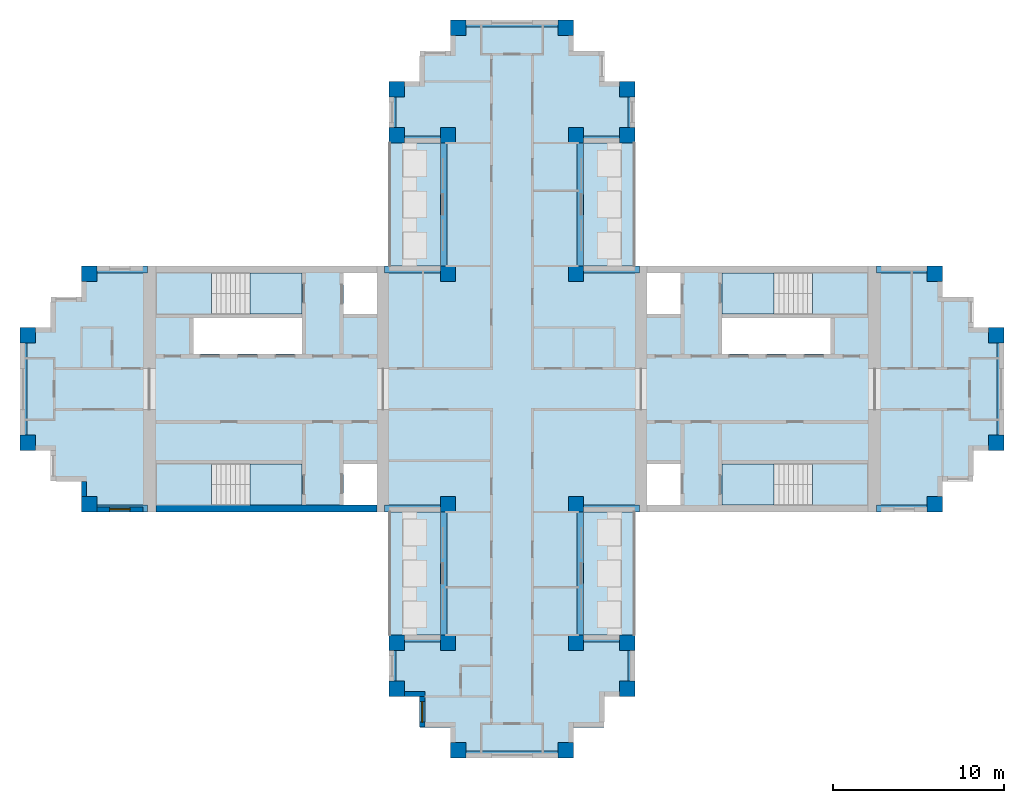
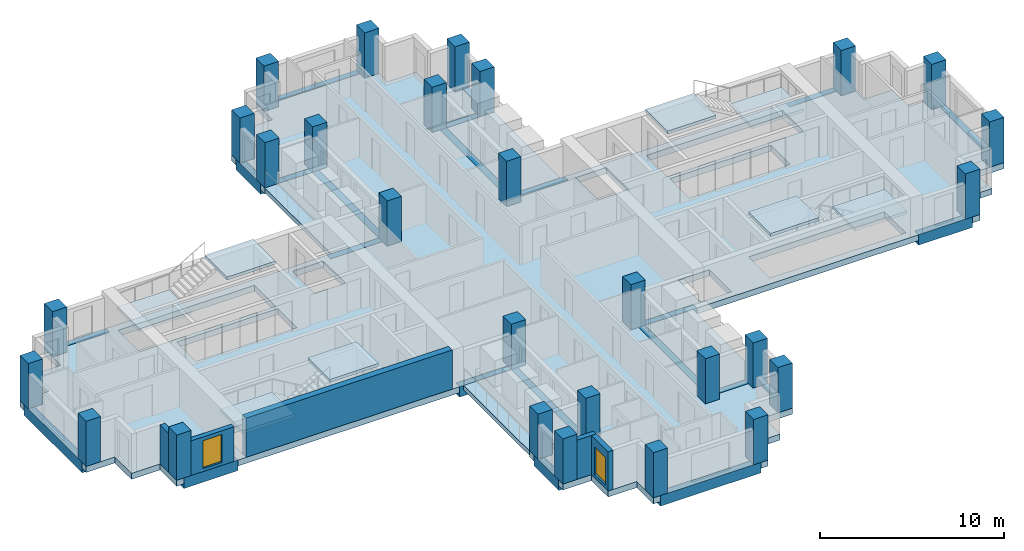
# One storey, part 1 of 9: 28 columns, 24 beams, 13 slabs, 5 walls, 2 windows, 2 openings, 4 elements without a shape of their own.
"""IFC4 building model written with IfcOpenShell, lengths in metres."""

from ifc_helpers import new_model, si_unit, direction, frame, frame_2d, origin, origin_2d, place, context, subcontext, project, spatial, polyline, rectangle, outline, extrude, material, layer, layer_set, material_profile, profile_set, type_object, element, fill, aggregate, save


model = new_model("IFC4")

# Units and contexts
model_context = context("Model", 3, precision=1e-05, world=origin(), true_north=direction((0.0, 1.0)))
body_context = subcontext(model_context, "Body", "Model", "MODEL_VIEW")
ifc_project = project(units=[si_unit("LENGTHUNIT", "METRE"), si_unit("AREAUNIT", "SQUARE_METRE"), si_unit("VOLUMEUNIT", "CUBIC_METRE"), si_unit("PLANEANGLEUNIT", "RADIAN"), si_unit("MASSUNIT", "GRAM", prefix="KILO")], contexts=[model_context])

# Site, building, storey
site_placement = place(None, origin())
site = spatial("IfcSite", under=ifc_project, at=site_placement, CompositionType="ELEMENT")
building_placement = place(site_placement, origin())
building = spatial("IfcBuilding", under=site, at=building_placement, Name="Fustian Cross Tower", CompositionType="ELEMENT")
storey_placement = place(building_placement, frame((0.0, 0.0, 216.89990234375)))
storey = spatial("IfcBuildingStorey", under=building, at=storey_placement, Name="L68", CompositionType="ELEMENT", Elevation=216.89990234375)

# Columns
ifc_material_1 = material(Name="Concrete C40/50", Category="concrete")
ifc_material_profile_1 = material_profile(ifc_material_1, rectangle(XDim=0.89990234375, YDim=0.89990234375, at=origin_2d()), Name="RC 900x900")
ifc_profile_set_1 = profile_set([ifc_material_profile_1], Name="Concrete C40/50")
column_type = type_object("IfcColumnType", Name="COLUMN RC 900x900 C40/50", PredefinedType="COLUMN", material=ifc_profile_set_1)
for number, where, z_axis, x_axis, name in (
    (1, (-28.35009765625, -3.14990234375, 0.0), (0.0, 0.0, 1.0), (1.0, 0.0, 0.0), "COLUMN 008"),
    (2, (-28.35009765625, 3.14990234375, 0.0), (0.0, 0.0, 1.0), (1.0, 0.0, 0.0), "COLUMN 009"),
    (3, (-24.75, -6.75, 0.0), (0.0, 0.0, 1.0), (1.0, 0.0, 0.0), "COLUMN 011"),
    (4, (-24.75, 6.75, 0.0), (0.0, 0.0, 1.0), (1.0, 0.0, 0.0), "COLUMN 012"),
    (5, (-6.75, -17.550048828125, 0.0), (0.0, 0.0, 1.0), (1.0, 0.0, 0.0), "COLUMN 017"),
    (6, (-6.75, -14.85009765625, 0.0), (0.0, 0.0, 1.0), (1.0, 0.0, 0.0), "COLUMN 018"),
    (7, (-6.75, 14.85009765625, 0.0), (0.0, 0.0, 1.0), (1.0, 0.0, 0.0), "COLUMN 019"),
    (8, (-6.75, 17.550048828125, 0.0), (0.0, 0.0, 1.0), (1.0, 0.0, 0.0), "COLUMN 020"),
    (9, (-3.75, -14.85009765625, 0.0), (0.0, 0.0, 1.0), (1.0, 0.0, 0.0), "COLUMN 025"),
    (10, (-3.75, -6.75, 0.0), (0.0, 0.0, 1.0), (1.0, 0.0, 0.0), "COLUMN 026"),
    (11, (-3.75, 6.75, 0.0), (0.0, 0.0, 1.0), (1.0, 0.0, 0.0), "COLUMN 027"),
    (12, (-3.75, 14.85009765625, 0.0), (0.0, 0.0, 1.0), (1.0, 0.0, 0.0), "COLUMN 028"),
    (13, (-3.14990234375, -21.14990234375, 0.0), (0.0, 0.0, 1.0), (1.0, 0.0, 0.0), "COLUMN 030"),
    (14, (-3.14990234375, 21.14990234375, 0.0), (0.0, 0.0, 1.0), (1.0, 0.0, 0.0), "COLUMN 031"),
    (15, (3.14990234375, -21.14990234375, 0.0), (0.0, 0.0, 1.0), (1.0, 0.0, 0.0), "COLUMN 034"),
    (16, (3.14990234375, 21.14990234375, 0.0), (0.0, 0.0, 1.0), (1.0, 0.0, 0.0), "COLUMN 035"),
    (17, (3.75, -14.85009765625, 0.0), (0.0, 0.0, 1.0), (1.0, 0.0, 0.0), "COLUMN 037"),
    (18, (3.75, -6.75, 0.0), (0.0, 0.0, 1.0), (1.0, 0.0, 0.0), "COLUMN 038"),
    (19, (3.75, 6.75, 0.0), (0.0, 0.0, 1.0), (1.0, 0.0, 0.0), "COLUMN 039"),
    (20, (3.75, 14.85009765625, 0.0), (0.0, 0.0, 1.0), (1.0, 0.0, 0.0), "COLUMN 040"),
    (21, (6.75, -17.550048828125, 0.0), (0.0, 0.0, 1.0), (1.0, 0.0, 0.0), "COLUMN 045"),
    (22, (6.75, -14.85009765625, 0.0), (0.0, 0.0, 1.0), (1.0, 0.0, 0.0), "COLUMN 046"),
    (23, (6.75, 14.85009765625, 0.0), (0.0, 0.0, 1.0), (1.0, 0.0, 0.0), "COLUMN 047"),
    (24, (6.75, 17.550048828125, 0.0), (0.0, 0.0, 1.0), (1.0, 0.0, 0.0), "COLUMN 048"),
    (25, (24.75, -6.75, 0.0), (0.0, 0.0, 1.0), (1.0, 0.0, 0.0), "COLUMN 053"),
    (26, (24.75, 6.75, 0.0), (0.0, 0.0, 1.0), (1.0, 0.0, 0.0), "COLUMN 054"),
    (27, (28.35009765625, -3.14990234375, 0.0), (0.0, 0.0, 1.0), (1.0, 0.0, 0.0), "COLUMN 056"),
    (28, (28.35009765625, 3.14990234375, 0.0), (0.0, 0.0, 1.0), (1.0, 0.0, 0.0), "COLUMN 057"),
):
    element("IfcColumn", number, at=place(storey_placement, frame(where, z_axis=z_axis, x_axis=x_axis)), inside=storey, type_object=column_type, Name=name, PredefinedType="COLUMN", context=body_context, shape_type="SweptSolid", body=[
        extrude(rectangle(XDim=0.89990234375, YDim=0.89990234375, at=origin_2d()), origin(), (0.0, 0.0, 1.0), 3.0),
    ])

# Beams
ifc_material_2 = material(Name="Concrete C50/60", Category="concrete")
ifc_material_profile_2 = material_profile(ifc_material_2, rectangle(XDim=0.39990234375, YDim=0.699951171875, at=origin_2d()), Name="RC 400x700")
ifc_profile_set_2 = profile_set([ifc_material_profile_2], Name="Concrete C50/60")
beam_type = type_object("IfcBeamType", Name="EDGE BEAM RC 400x700 C50/60", PredefinedType="SPANDREL", material=ifc_profile_set_2)
beam_1_placement = place(storey_placement, frame((21.35009765625, -7.0, -0.349853515625), z_axis=(1.0, 0.0, 0.0), x_axis=(0.0, 1.0, 0.0)))
element("IfcBeam", 29, at=beam_1_placement, inside=storey, type_object=beam_type, Name="EDGE BEAM L68-01", PredefinedType="SPANDREL", context=body_context, shape_type="SweptSolid", body=[
    extrude(rectangle(XDim=0.39990234375, YDim=0.699951171875, at=origin_2d()), origin(), (0.0, 0.0, 1.0), 3.39990234375),
])
beam_2_placement = place(storey_placement, frame((28.60009765625, -3.14990234375, -0.349853515625), z_axis=(0.0, 1.0, 0.0), x_axis=(-1.0, 0.0, 0.0)))
element("IfcBeam", 30, at=beam_2_placement, inside=storey, type_object=beam_type, Name="EDGE BEAM L68-02", PredefinedType="SPANDREL", context=body_context, shape_type="SweptSolid", body=[
    extrude(rectangle(XDim=0.39990234375, YDim=0.699951171875, at=origin_2d()), origin(), (0.0, 0.0, 1.0), 6.2998046875),
])
beam_3_placement = place(storey_placement, frame((24.75, 7.0, -0.349853515625), z_axis=(-1.0, 0.0, 0.0), x_axis=(0.0, -1.0, 0.0)))
element("IfcBeam", 31, at=beam_3_placement, inside=storey, type_object=beam_type, Name="EDGE BEAM L68-03", PredefinedType="SPANDREL", context=body_context, shape_type="SweptSolid", body=[
    extrude(rectangle(XDim=0.39990234375, YDim=0.699951171875, at=origin_2d()), origin(), (0.0, 0.0, 1.0), 3.39990234375),
])
beam_4_placement = place(storey_placement, frame((7.449951171875, 7.0, -0.349853515625), z_axis=(-1.0, 0.0, 0.0), x_axis=(0.0, -1.0, 0.0)))
element("IfcBeam", 32, at=beam_4_placement, inside=storey, type_object=beam_type, Name="EDGE BEAM L68-04", PredefinedType="SPANDREL", context=body_context, shape_type="SweptSolid", body=[
    extrude(rectangle(XDim=0.39990234375, YDim=0.699951171875, at=origin_2d()), origin(), (0.0, 0.0, 1.0), 3.699951171875),
])
beam_5_placement = place(storey_placement, frame((4.0, 6.75, -0.349853515625), z_axis=(0.0, 1.0, 0.0), x_axis=(-1.0, 0.0, 0.0)))
element("IfcBeam", 33, at=beam_5_placement, inside=storey, type_object=beam_type, Name="EDGE BEAM L68-05", PredefinedType="SPANDREL", context=body_context, shape_type="SweptSolid", body=[
    extrude(rectangle(XDim=0.39990234375, YDim=0.699951171875, at=origin_2d()), origin(), (0.0, 0.0, 1.0), 8.10009765625),
])
beam_6_placement = place(storey_placement, frame((3.75, 14.60009765625, -0.349853515625), z_axis=(1.0, 0.0, 0.0), x_axis=(0.0, 1.0, 0.0)))
element("IfcBeam", 34, at=beam_6_placement, inside=storey, type_object=beam_type, Name="EDGE BEAM L68-06", PredefinedType="SPANDREL", context=body_context, shape_type="SweptSolid", body=[
    extrude(rectangle(XDim=0.39990234375, YDim=0.699951171875, at=origin_2d()), origin(), (0.0, 0.0, 1.0), 3.0),
])
beam_7_placement = place(storey_placement, frame((7.0, 14.85009765625, -0.349853515625), z_axis=(0.0, 1.0, 0.0), x_axis=(-1.0, 0.0, 0.0)))
element("IfcBeam", 35, at=beam_7_placement, inside=storey, type_object=beam_type, Name="EDGE BEAM L68-07", PredefinedType="SPANDREL", context=body_context, shape_type="SweptSolid", body=[
    extrude(rectangle(XDim=0.39990234375, YDim=0.699951171875, at=origin_2d()), origin(), (0.0, 0.0, 1.0), 2.699951171875),
])
beam_8_placement = place(storey_placement, frame((3.14990234375, 21.39990234375, -0.349853515625), z_axis=(-1.0, 0.0, 0.0), x_axis=(0.0, -1.0, 0.0)))
element("IfcBeam", 36, at=beam_8_placement, inside=storey, type_object=beam_type, Name="EDGE BEAM L68-08", PredefinedType="SPANDREL", context=body_context, shape_type="SweptSolid", body=[
    extrude(rectangle(XDim=0.39990234375, YDim=0.699951171875, at=origin_2d()), origin(), (0.0, 0.0, 1.0), 6.2998046875),
])
beam_9_placement = place(storey_placement, frame((-7.0, 17.550048828125, -0.349853515625), z_axis=(0.0, -1.0, 0.0), x_axis=(1.0, 0.0, 0.0)))
element("IfcBeam", 37, at=beam_9_placement, inside=storey, type_object=beam_type, Name="EDGE BEAM L68-09", PredefinedType="SPANDREL", context=body_context, shape_type="SweptSolid", body=[
    extrude(rectangle(XDim=0.39990234375, YDim=0.699951171875, at=origin_2d()), origin(), (0.0, 0.0, 1.0), 2.699951171875),
])
beam_10_placement = place(storey_placement, frame((-6.75, 14.60009765625, -0.349853515625), z_axis=(1.0, 0.0, 0.0), x_axis=(0.0, 1.0, 0.0)))
element("IfcBeam", 38, at=beam_10_placement, inside=storey, type_object=beam_type, Name="EDGE BEAM L68-10", PredefinedType="SPANDREL", context=body_context, shape_type="SweptSolid", body=[
    extrude(rectangle(XDim=0.39990234375, YDim=0.699951171875, at=origin_2d()), origin(), (0.0, 0.0, 1.0), 3.0),
])
beam_11_placement = place(storey_placement, frame((-4.0, 14.85009765625, -0.349853515625), z_axis=(0.0, -1.0, 0.0), x_axis=(1.0, 0.0, 0.0)))
element("IfcBeam", 39, at=beam_11_placement, inside=storey, type_object=beam_type, Name="EDGE BEAM L68-11", PredefinedType="SPANDREL", context=body_context, shape_type="SweptSolid", body=[
    extrude(rectangle(XDim=0.39990234375, YDim=0.699951171875, at=origin_2d()), origin(), (0.0, 0.0, 1.0), 8.10009765625),
])
beam_12_placement = place(storey_placement, frame((-3.75, 7.0, -0.349853515625), z_axis=(-1.0, 0.0, 0.0), x_axis=(0.0, -1.0, 0.0)))
element("IfcBeam", 40, at=beam_12_placement, inside=storey, type_object=beam_type, Name="EDGE BEAM L68-12", PredefinedType="SPANDREL", context=body_context, shape_type="SweptSolid", body=[
    extrude(rectangle(XDim=0.39990234375, YDim=0.699951171875, at=origin_2d()), origin(), (0.0, 0.0, 1.0), 3.699951171875),
])
beam_13_placement = place(storey_placement, frame((-21.35009765625, 7.0, -0.349853515625), z_axis=(-1.0, 0.0, 0.0), x_axis=(0.0, -1.0, 0.0)))
element("IfcBeam", 41, at=beam_13_placement, inside=storey, type_object=beam_type, Name="EDGE BEAM L68-13", PredefinedType="SPANDREL", context=body_context, shape_type="SweptSolid", body=[
    extrude(rectangle(XDim=0.39990234375, YDim=0.699951171875, at=origin_2d()), origin(), (0.0, 0.0, 1.0), 3.39990234375),
])
beam_14_placement = place(storey_placement, frame((-28.60009765625, 3.14990234375, -0.349853515625), z_axis=(0.0, -1.0, 0.0), x_axis=(1.0, 0.0, 0.0)))
element("IfcBeam", 42, at=beam_14_placement, inside=storey, type_object=beam_type, Name="EDGE BEAM L68-14", PredefinedType="SPANDREL", context=body_context, shape_type="SweptSolid", body=[
    extrude(rectangle(XDim=0.39990234375, YDim=0.699951171875, at=origin_2d()), origin(), (0.0, 0.0, 1.0), 6.2998046875),
])
beam_15_placement = place(storey_placement, frame((-24.75, -7.0, -0.349853515625), z_axis=(1.0, 0.0, 0.0), x_axis=(0.0, 1.0, 0.0)))
element("IfcBeam", 43, at=beam_15_placement, inside=storey, type_object=beam_type, Name="EDGE BEAM L68-15", PredefinedType="SPANDREL", context=body_context, shape_type="SweptSolid", body=[
    extrude(rectangle(XDim=0.39990234375, YDim=0.699951171875, at=origin_2d()), origin(), (0.0, 0.0, 1.0), 3.39990234375),
])
beam_16_placement = place(storey_placement, frame((-7.449951171875, -7.0, -0.349853515625), z_axis=(1.0, 0.0, 0.0), x_axis=(0.0, 1.0, 0.0)))
element("IfcBeam", 44, at=beam_16_placement, inside=storey, type_object=beam_type, Name="EDGE BEAM L68-16", PredefinedType="SPANDREL", context=body_context, shape_type="SweptSolid", body=[
    extrude(rectangle(XDim=0.39990234375, YDim=0.699951171875, at=origin_2d()), origin(), (0.0, 0.0, 1.0), 3.699951171875),
])
beam_17_placement = place(storey_placement, frame((-4.0, -6.75, -0.349853515625), z_axis=(0.0, -1.0, 0.0), x_axis=(1.0, 0.0, 0.0)))
element("IfcBeam", 45, at=beam_17_placement, inside=storey, type_object=beam_type, Name="EDGE BEAM L68-17", PredefinedType="SPANDREL", context=body_context, shape_type="SweptSolid", body=[
    extrude(rectangle(XDim=0.39990234375, YDim=0.699951171875, at=origin_2d()), origin(), (0.0, 0.0, 1.0), 8.10009765625),
])
beam_18_placement = place(storey_placement, frame((-3.75, -14.60009765625, -0.349853515625), z_axis=(-1.0, 0.0, 0.0), x_axis=(0.0, -1.0, 0.0)))
element("IfcBeam", 46, at=beam_18_placement, inside=storey, type_object=beam_type, Name="EDGE BEAM L68-18", PredefinedType="SPANDREL", context=body_context, shape_type="SweptSolid", body=[
    extrude(rectangle(XDim=0.39990234375, YDim=0.699951171875, at=origin_2d()), origin(), (0.0, 0.0, 1.0), 3.0),
])
beam_19_placement = place(storey_placement, frame((-7.0, -14.85009765625, -0.349853515625), z_axis=(0.0, -1.0, 0.0), x_axis=(1.0, 0.0, 0.0)))
element("IfcBeam", 47, at=beam_19_placement, inside=storey, type_object=beam_type, Name="EDGE BEAM L68-19", PredefinedType="SPANDREL", context=body_context, shape_type="SweptSolid", body=[
    extrude(rectangle(XDim=0.39990234375, YDim=0.699951171875, at=origin_2d()), origin(), (0.0, 0.0, 1.0), 2.699951171875),
])
beam_20_placement = place(storey_placement, frame((-3.14990234375, -21.39990234375, -0.349853515625), z_axis=(1.0, 0.0, 0.0), x_axis=(0.0, 1.0, 0.0)))
element("IfcBeam", 48, at=beam_20_placement, inside=storey, type_object=beam_type, Name="EDGE BEAM L68-20", PredefinedType="SPANDREL", context=body_context, shape_type="SweptSolid", body=[
    extrude(rectangle(XDim=0.39990234375, YDim=0.699951171875, at=origin_2d()), origin(), (0.0, 0.0, 1.0), 6.2998046875),
])
beam_21_placement = place(storey_placement, frame((7.0, -17.550048828125, -0.349853515625), z_axis=(0.0, 1.0, 0.0), x_axis=(-1.0, 0.0, 0.0)))
element("IfcBeam", 49, at=beam_21_placement, inside=storey, type_object=beam_type, Name="EDGE BEAM L68-21", PredefinedType="SPANDREL", context=body_context, shape_type="SweptSolid", body=[
    extrude(rectangle(XDim=0.39990234375, YDim=0.699951171875, at=origin_2d()), origin(), (0.0, 0.0, 1.0), 2.699951171875),
])
beam_22_placement = place(storey_placement, frame((6.75, -14.60009765625, -0.349853515625), z_axis=(-1.0, 0.0, 0.0), x_axis=(0.0, -1.0, 0.0)))
element("IfcBeam", 50, at=beam_22_placement, inside=storey, type_object=beam_type, Name="EDGE BEAM L68-22", PredefinedType="SPANDREL", context=body_context, shape_type="SweptSolid", body=[
    extrude(rectangle(XDim=0.39990234375, YDim=0.699951171875, at=origin_2d()), origin(), (0.0, 0.0, 1.0), 3.0),
])
beam_23_placement = place(storey_placement, frame((4.0, -14.85009765625, -0.349853515625), z_axis=(0.0, 1.0, 0.0), x_axis=(-1.0, 0.0, 0.0)))
element("IfcBeam", 51, at=beam_23_placement, inside=storey, type_object=beam_type, Name="EDGE BEAM L68-23", PredefinedType="SPANDREL", context=body_context, shape_type="SweptSolid", body=[
    extrude(rectangle(XDim=0.39990234375, YDim=0.699951171875, at=origin_2d()), origin(), (0.0, 0.0, 1.0), 8.10009765625),
])
beam_24_placement = place(storey_placement, frame((3.75, -7.0, -0.349853515625), z_axis=(1.0, 0.0, 0.0), x_axis=(0.0, 1.0, 0.0)))
element("IfcBeam", 52, at=beam_24_placement, inside=storey, type_object=beam_type, Name="EDGE BEAM L68-24", PredefinedType="SPANDREL", context=body_context, shape_type="SweptSolid", body=[
    extrude(rectangle(XDim=0.39990234375, YDim=0.699951171875, at=origin_2d()), origin(), (0.0, 0.0, 1.0), 3.699951171875),
])

# Slabs
ifc_material_3 = material(Name="Concrete C40/50", Category="concrete")
ifc_layer_1 = layer(ifc_material_3, 0.300048828125)
ifc_layer_set_1 = layer_set([ifc_layer_1], Name="Concrete C40/50")
slab_type_1 = type_object("IfcSlabType", Name="BS1 BALCONY SLAB 300", PredefinedType="FLOOR", material=ifc_layer_set_1)
slab_1_placement = place(storey_placement, frame((0.0, 0.0, -0.2998046875)))
element("IfcSlab", 53, at=slab_1_placement, inside=storey, type_object=slab_type_1, Name="Balcony slab", PredefinedType="FLOOR", context=body_context, shape_type="SweptSolid", body=[
    extrude(outline(polyline([(4.199951171875, 7.199951171875), (7.199951171875, 7.199951171875), (7.199951171875, 14.39990234375), (4.199951171875, 14.39990234375), (4.199951171875, 7.199951171875)])), origin(), (0.0, 0.0, 1.0), 0.2998046875),
])
slab_2_placement = place(storey_placement, frame((0.0, 0.0, -0.2998046875)))
element("IfcSlab", 54, at=slab_2_placement, inside=storey, type_object=slab_type_1, Name="Balcony slab", PredefinedType="FLOOR", context=body_context, shape_type="SweptSolid", body=[
    extrude(outline(polyline([(-7.199951171875, 7.199951171875), (-4.199951171875, 7.199951171875), (-4.199951171875, 14.39990234375), (-7.199951171875, 14.39990234375), (-7.199951171875, 7.199951171875)])), origin(), (0.0, 0.0, 1.0), 0.2998046875),
])
slab_3_placement = place(storey_placement, frame((0.0, 0.0, -0.2998046875)))
element("IfcSlab", 55, at=slab_3_placement, inside=storey, type_object=slab_type_1, Name="Balcony slab", PredefinedType="FLOOR", context=body_context, shape_type="SweptSolid", body=[
    extrude(outline(polyline([(4.199951171875, -14.39990234375), (7.199951171875, -14.39990234375), (7.199951171875, -7.199951171875), (4.199951171875, -7.199951171875), (4.199951171875, -14.39990234375)])), origin(), (0.0, 0.0, 1.0), 0.2998046875),
])
slab_4_placement = place(storey_placement, frame((0.0, 0.0, -0.2998046875)))
element("IfcSlab", 56, at=slab_4_placement, inside=storey, type_object=slab_type_1, Name="Balcony slab", PredefinedType="FLOOR", context=body_context, shape_type="SweptSolid", body=[
    extrude(outline(polyline([(-7.199951171875, -14.39990234375), (-4.199951171875, -14.39990234375), (-4.199951171875, -7.199951171875), (-7.199951171875, -7.199951171875), (-7.199951171875, -14.39990234375)])), origin(), (0.0, 0.0, 1.0), 0.2998046875),
])
ifc_material_4 = material(Name="Concrete C40/50", Category="concrete")
ifc_layer_2 = layer(ifc_material_4, 0.39990234375)
ifc_layer_set_2 = layer_set([ifc_layer_2], Name="Concrete C40/50")
slab_type_2 = type_object("IfcSlabType", Name="FLAT SLAB 400", PredefinedType="FLOOR", material=ifc_layer_set_2)
slab_5_placement = place(storey_placement, frame((0.0, 0.0, -0.39990234375)))
element("IfcSlab", 57, at=slab_5_placement, inside=storey, type_object=slab_type_2, Name="FLOOR SLAB L68-1", PredefinedType="FLOOR", context=body_context, shape_type="SweptSolid", body=[
    extrude(outline(polyline([(-3.60009765625, -19.800048828125), (-5.39990234375, -19.800048828125), (-5.39990234375, -18.0), (-7.199951171875, -18.0), (-7.199951171875, -14.39990234375), (-4.199951171875, -14.39990234375), (-4.199951171875, -7.199951171875), (-25.199951171875, -7.199951171875), (-25.199951171875, -5.39990234375), (-27.0, -5.39990234375), (-27.0, -3.60009765625), (-28.800048828125, -3.60009765625), (-28.800048828125, 3.60009765625), (-27.0, 3.60009765625), (-27.0, 5.39990234375), (-25.199951171875, 5.39990234375), (-25.199951171875, 7.199951171875), (-4.199951171875, 7.199951171875), (-4.199951171875, 14.39990234375), (-7.199951171875, 14.39990234375), (-7.199951171875, 18.0), (-5.39990234375, 18.0), (-5.39990234375, 19.800048828125), (-3.60009765625, 19.800048828125), (-3.60009765625, 21.60009765625), (3.60009765625, 21.60009765625), (3.60009765625, 19.800048828125), (5.39990234375, 19.800048828125), (5.39990234375, 18.0), (7.199951171875, 18.0), (7.199951171875, 14.39990234375), (4.199951171875, 14.39990234375), (4.199951171875, 7.199951171875), (25.199951171875, 7.199951171875), (25.199951171875, 5.39990234375), (27.0, 5.39990234375), (27.0, 3.60009765625), (28.800048828125, 3.60009765625), (28.800048828125, -3.60009765625), (27.0, -3.60009765625), (27.0, -5.39990234375), (25.199951171875, -5.39990234375), (25.199951171875, -7.199951171875), (4.199951171875, -7.199951171875), (4.199951171875, -14.39990234375), (7.199951171875, -14.39990234375), (7.199951171875, -18.0), (5.39990234375, -18.0), (5.39990234375, -19.800048828125), (3.60009765625, -19.800048828125), (3.60009765625, -21.60009765625), (-3.60009765625, -21.60009765625), (-3.60009765625, -19.800048828125)]), holes=[polyline([(7.89990234375, 6.800048828125), (7.89990234375, 4.39990234375), (9.85009765625, 4.39990234375), (9.85009765625, 6.800048828125), (7.89990234375, 6.800048828125)]), polyline([(9.85009765625, -4.39990234375), (7.89990234375, -4.39990234375), (7.89990234375, -6.800048828125), (9.85009765625, -6.800048828125), (9.85009765625, -4.39990234375)]), polyline([(-7.89990234375, 4.39990234375), (-7.89990234375, 6.800048828125), (-9.85009765625, 6.800048828125), (-9.85009765625, 4.39990234375), (-7.89990234375, 4.39990234375)]), polyline([(-9.85009765625, -6.800048828125), (-7.89990234375, -6.800048828125), (-7.89990234375, -4.39990234375), (-9.85009765625, -4.39990234375), (-9.85009765625, -6.800048828125)]), polyline([(12.300048828125, 4.14990234375), (12.300048828125, 2.050048828125), (18.64990234375, 2.050048828125), (18.64990234375, 4.14990234375), (12.300048828125, 4.14990234375)]), polyline([(-12.300048828125, 4.14990234375), (-18.64990234375, 4.14990234375), (-18.64990234375, 2.050048828125), (-12.300048828125, 2.050048828125), (-12.300048828125, 4.14990234375)]), polyline([(20.85009765625, 4.39990234375), (20.85009765625, 6.699951171875), (12.300048828125, 6.699951171875), (12.300048828125, 4.39990234375), (20.85009765625, 4.39990234375)]), polyline([(12.300048828125, -6.699951171875), (20.85009765625, -6.699951171875), (20.85009765625, -4.39990234375), (12.300048828125, -4.39990234375), (12.300048828125, -6.699951171875)]), polyline([(-20.85009765625, 6.699951171875), (-20.85009765625, 4.39990234375), (-12.300048828125, 4.39990234375), (-12.300048828125, 6.699951171875), (-20.85009765625, 6.699951171875)]), polyline([(-12.300048828125, -4.39990234375), (-20.85009765625, -4.39990234375), (-20.85009765625, -6.699951171875), (-12.300048828125, -6.699951171875), (-12.300048828125, -4.39990234375)])]), origin(), (0.0, 0.0, 1.0), 0.39990234375),
])

# Stair, slabs
ifc_material_5 = material(Name="Concrete C50/60", Category="concrete")
stair_type = type_object("IfcStairType", Name="STAIR 1200 HALF TURN", PredefinedType="HALF_TURN_STAIR", material=ifc_material_5)
stair_1_placement = place(storey_placement, origin())
stair_1 = element("IfcStair", 58, at=stair_1_placement, inside=storey, type_object=stair_type, Name="Stair ST1", PredefinedType="HALF_TURN_STAIR")
ifc_material_6 = material(Name="Concrete C50/60", Category="concrete")
ifc_layer_3 = layer(ifc_material_6, 0.199951171875)
ifc_layer_set_3 = layer_set([ifc_layer_3], Name="Concrete C50/60")
slab_type_3 = type_object("IfcSlabType", Name="STAIR LANDING", PredefinedType="LANDING", material=ifc_layer_set_3)
slab_6_placement = place(storey_placement, frame((0.0, 0.0, 1.300048828125)))
slab_6 = element("IfcSlab", 59, at=slab_6_placement, type_object=slab_type_3, Name="ST1 landing 1", PredefinedType="LANDING", context=body_context, shape_type="SweptSolid", body=[
    extrude(outline(polyline([(17.590087890625, 4.39990234375), (20.85009765625, 4.39990234375), (20.85009765625, 6.800048828125), (17.590087890625, 6.800048828125), (17.590087890625, 4.39990234375)])), origin(), (0.0, 0.0, 1.0), 0.199951171875),
])
slab_7_placement = place(storey_placement, frame((0.0, 0.0, 2.800048828125)))
slab_7 = element("IfcSlab", 60, at=slab_7_placement, type_object=slab_type_3, Name="ST1 landing 2", PredefinedType="LANDING", context=body_context, shape_type="SweptSolid", body=[
    extrude(outline(polyline([(12.300048828125, 4.39990234375), (15.35009765625, 4.39990234375), (15.35009765625, 6.800048828125), (12.300048828125, 6.800048828125), (12.300048828125, 4.39990234375)])), origin(), (0.0, 0.0, 1.0), 0.199951171875),
])
aggregate(stair_1, [slab_6, slab_7])

stair_2_placement = place(storey_placement, origin())
stair_2 = element("IfcStair", 61, at=stair_2_placement, inside=storey, type_object=stair_type, Name="Stair ST2", PredefinedType="HALF_TURN_STAIR")
slab_8_placement = place(storey_placement, frame((0.0, 0.0, 1.300048828125)))
slab_8 = element("IfcSlab", 62, at=slab_8_placement, type_object=slab_type_3, Name="ST2 landing 1", PredefinedType="LANDING", context=body_context, shape_type="SweptSolid", body=[
    extrude(outline(polyline([(17.590087890625, -4.39990234375), (20.85009765625, -4.39990234375), (20.85009765625, -6.800048828125), (17.590087890625, -6.800048828125), (17.590087890625, -4.39990234375)])), origin(), (0.0, 0.0, 1.0), 0.199951171875),
])
slab_9_placement = place(storey_placement, frame((0.0, 0.0, 2.800048828125)))
slab_9 = element("IfcSlab", 63, at=slab_9_placement, type_object=slab_type_3, Name="ST2 landing 2", PredefinedType="LANDING", context=body_context, shape_type="SweptSolid", body=[
    extrude(outline(polyline([(12.300048828125, -4.39990234375), (15.35009765625, -4.39990234375), (15.35009765625, -6.800048828125), (12.300048828125, -6.800048828125), (12.300048828125, -4.39990234375)])), origin(), (0.0, 0.0, 1.0), 0.199951171875),
])
aggregate(stair_2, [slab_8, slab_9])

stair_3_placement = place(storey_placement, origin())
stair_3 = element("IfcStair", 64, at=stair_3_placement, inside=storey, type_object=stair_type, Name="Stair ST3", PredefinedType="HALF_TURN_STAIR")
slab_10_placement = place(storey_placement, frame((0.0, 0.0, 1.300048828125)))
slab_10 = element("IfcSlab", 65, at=slab_10_placement, type_object=slab_type_3, Name="ST3 landing 1", PredefinedType="LANDING", context=body_context, shape_type="SweptSolid", body=[
    extrude(outline(polyline([(-17.590087890625, 4.39990234375), (-20.85009765625, 4.39990234375), (-20.85009765625, 6.800048828125), (-17.590087890625, 6.800048828125), (-17.590087890625, 4.39990234375)])), origin(), (0.0, 0.0, 1.0), 0.199951171875),
])
slab_11_placement = place(storey_placement, frame((0.0, 0.0, 2.800048828125)))
slab_11 = element("IfcSlab", 66, at=slab_11_placement, type_object=slab_type_3, Name="ST3 landing 2", PredefinedType="LANDING", context=body_context, shape_type="SweptSolid", body=[
    extrude(outline(polyline([(-12.300048828125, 4.39990234375), (-15.35009765625, 4.39990234375), (-15.35009765625, 6.800048828125), (-12.300048828125, 6.800048828125), (-12.300048828125, 4.39990234375)])), origin(), (0.0, 0.0, 1.0), 0.199951171875),
])
aggregate(stair_3, [slab_10, slab_11])

stair_4_placement = place(storey_placement, origin())
stair_4 = element("IfcStair", 67, at=stair_4_placement, inside=storey, type_object=stair_type, Name="Stair ST4", PredefinedType="HALF_TURN_STAIR")
slab_12_placement = place(storey_placement, frame((0.0, 0.0, 1.300048828125)))
slab_12 = element("IfcSlab", 68, at=slab_12_placement, type_object=slab_type_3, Name="ST4 landing 1", PredefinedType="LANDING", context=body_context, shape_type="SweptSolid", body=[
    extrude(outline(polyline([(-17.590087890625, -4.39990234375), (-20.85009765625, -4.39990234375), (-20.85009765625, -6.800048828125), (-17.590087890625, -6.800048828125), (-17.590087890625, -4.39990234375)])), origin(), (0.0, 0.0, 1.0), 0.199951171875),
])
slab_13_placement = place(storey_placement, frame((0.0, 0.0, 2.800048828125)))
slab_13 = element("IfcSlab", 69, at=slab_13_placement, type_object=slab_type_3, Name="ST4 landing 2", PredefinedType="LANDING", context=body_context, shape_type="SweptSolid", body=[
    extrude(outline(polyline([(-12.300048828125, -4.39990234375), (-15.35009765625, -4.39990234375), (-15.35009765625, -6.800048828125), (-12.300048828125, -6.800048828125), (-12.300048828125, -4.39990234375)])), origin(), (0.0, 0.0, 1.0), 0.199951171875),
])
aggregate(stair_4, [slab_12, slab_13])

# Walls
ifc_material_7 = material(Name="Concrete C50/60", Category="concrete")
ifc_layer_4 = layer(ifc_material_7, 0.39990234375)
ifc_layer_set_4 = layer_set([ifc_layer_4], Name="Concrete C50/60")
wall_type_1 = type_object("IfcWallType", Name="CORE FACADE WALL 400 C50/60", PredefinedType="SHEAR", material=ifc_layer_set_4)
wall_1_placement = place(storey_placement, frame((-7.89990234375, -7.0, 0.0), z_axis=(0.0, 0.0, 1.0), x_axis=(-1.0, 0.0, 0.0)))
element("IfcWall", 70, at=wall_1_placement, inside=storey, type_object=wall_type_1, Name="Core facade wall", PredefinedType="SHEAR", context=body_context, shape_type="SweptSolid", body=[
    extrude(rectangle(XDim=12.9501953125, YDim=0.39990234375, at=frame_2d((6.47509765625, 0.0))), origin(), (0.0, 0.0, 1.0), 2.60009765625),
])
ifc_material_8 = material(Name="Dark aluminium cladding on insulated backing wall", Category="aluminium")
ifc_layer_5 = layer(ifc_material_8, 0.300048828125)
ifc_layer_set_5 = layer_set([ifc_layer_5], Name="Dark aluminium cladding on insulated backing wall")
wall_type_2 = type_object("IfcWallType", Name="XW1 EXTERNAL WALL 300", PredefinedType="SOLIDWALL", material=ifc_layer_set_5)
wall_2_placement = place(storey_placement, frame((-25.050048828125, -5.39990234375, 0.0), z_axis=(0.0, 0.0, 1.0), x_axis=(0.0, -1.0, 0.0)))
element("IfcWall", 71, at=wall_2_placement, inside=storey, type_object=wall_type_2, Name="External wall", PredefinedType="SOLIDWALL", context=body_context, shape_type="SweptSolid", body=[
    extrude(rectangle(XDim=0.900146484375, YDim=0.300048828125, at=frame_2d((0.4501953125, 0.0))), origin(), (0.0, 0.0, 1.0), 2.60009765625),
])

# Wall, opening, window
wall_3_placement = place(storey_placement, frame((-24.300048828125, -7.050048828125, 0.0), z_axis=(0.0, 0.0, 1.0), x_axis=(1.0, 0.0, 0.0)))
wall_3 = element("IfcWall", 72, at=wall_3_placement, inside=storey, type_object=wall_type_2, Name="External wall", PredefinedType="SOLIDWALL", context=body_context, shape_type="SweptSolid", body=[
    extrude(rectangle(XDim=2.699951171875, YDim=0.300048828125, at=frame_2d((1.35009765625, 0.0))), origin(), (0.0, 0.0, 1.0), 2.300048828125),
])
opening_1_placement = place(wall_3_placement, frame((0.75, 0.0, 0.199951171875)))
opening_1 = element("IfcOpeningElement", 73, at=opening_1_placement, cuts=wall_3, Name="Opening WN3", PredefinedType="OPENING", context=body_context, shape_type="SweptSolid", body=[
    extrude(rectangle(XDim=1.199951171875, YDim=1.85009765625, at=frame_2d((0.60009765625, 0.925048828125))), frame((0.0, 0.159912109375, 0.0), z_axis=(0.0, -1.0, 0.0), x_axis=(1.0, 0.0, 0.0)), (0.0, 0.0, 1.0), 0.320068359375),
])
ifc_material_9 = material(Name="Dark anodised aluminium and double glazing", Category="aluminium")
window_type = type_object("IfcWindowType", Name="WN3 WINDOW 1200X1850", PartitioningType="SINGLE_PANEL", PredefinedType="WINDOW", material=ifc_material_9)
window_1_placement = place(opening_1_placement, origin())
window_1 = element("IfcWindow", 74, at=window_1_placement, inside=storey, type_object=window_type, Name="Window", OverallHeight=1.85009765625, OverallWidth=1.199951171875, PartitioningType="SINGLE_PANEL", PredefinedType="WINDOW", context=body_context, shape_type="SweptSolid", body=[
    extrude(rectangle(XDim=1.199951171875, YDim=1.85009765625, at=frame_2d((0.60009765625, 0.925048828125))), frame((0.0, 0.030029296875, 0.0), z_axis=(0.0, -1.0, 0.0), x_axis=(1.0, 0.0, 0.0)), (0.0, 0.0, 1.0), 0.06005859375),
])
fill(opening_1, window_1)

# Wall
wall_4_placement = place(storey_placement, frame((-6.300048828125, -17.85009765625, 0.0), z_axis=(0.0, 0.0, 1.0), x_axis=(1.0, 0.0, 0.0)))
element("IfcWall", 75, at=wall_4_placement, inside=storey, type_object=wall_type_2, Name="External wall", PredefinedType="SOLIDWALL", context=body_context, shape_type="SweptSolid", body=[
    extrude(rectangle(XDim=1.199951171875, YDim=0.300048828125, at=frame_2d((0.60009765625, 0.0))), origin(), (0.0, 0.0, 1.0), 2.60009765625),
])

# Wall, opening, window
wall_5_placement = place(storey_placement, frame((-5.25, -18.0, 0.0), z_axis=(0.0, 0.0, 1.0), x_axis=(0.0, -1.0, 0.0)))
wall_5 = element("IfcWall", 76, at=wall_5_placement, inside=storey, type_object=wall_type_2, Name="External wall", PredefinedType="SOLIDWALL", context=body_context, shape_type="SweptSolid", body=[
    extrude(rectangle(XDim=1.800048828125, YDim=0.300048828125, at=frame_2d((0.89990234375, 0.0))), origin(), (0.0, 0.0, 1.0), 2.60009765625),
])
opening_2_placement = place(wall_5_placement, frame((0.300048828125, 0.0, 0.199951171875)))
opening_2 = element("IfcOpeningElement", 77, at=opening_2_placement, cuts=wall_5, Name="Opening WN3", PredefinedType="OPENING", context=body_context, shape_type="SweptSolid", body=[
    extrude(rectangle(XDim=1.199951171875, YDim=1.85009765625, at=frame_2d((0.60009765625, 0.925048828125))), frame((0.0, 0.159912109375, 0.0), z_axis=(0.0, -1.0, 0.0), x_axis=(1.0, 0.0, 0.0)), (0.0, 0.0, 1.0), 0.320068359375),
])
window_2_placement = place(opening_2_placement, origin())
window_2 = element("IfcWindow", 78, at=window_2_placement, inside=storey, type_object=window_type, Name="Window", OverallHeight=1.85009765625, OverallWidth=1.199951171875, PartitioningType="SINGLE_PANEL", PredefinedType="WINDOW", context=body_context, shape_type="SweptSolid", body=[
    extrude(rectangle(XDim=1.199951171875, YDim=1.85009765625, at=frame_2d((0.60009765625, 0.925048828125))), frame((0.0, 0.030029296875, 0.0), z_axis=(0.0, -1.0, 0.0), x_axis=(1.0, 0.0, 0.0)), (0.0, 0.0, 1.0), 0.06005859375),
])
fill(opening_2, window_2)

save(model, "model.ifc")
